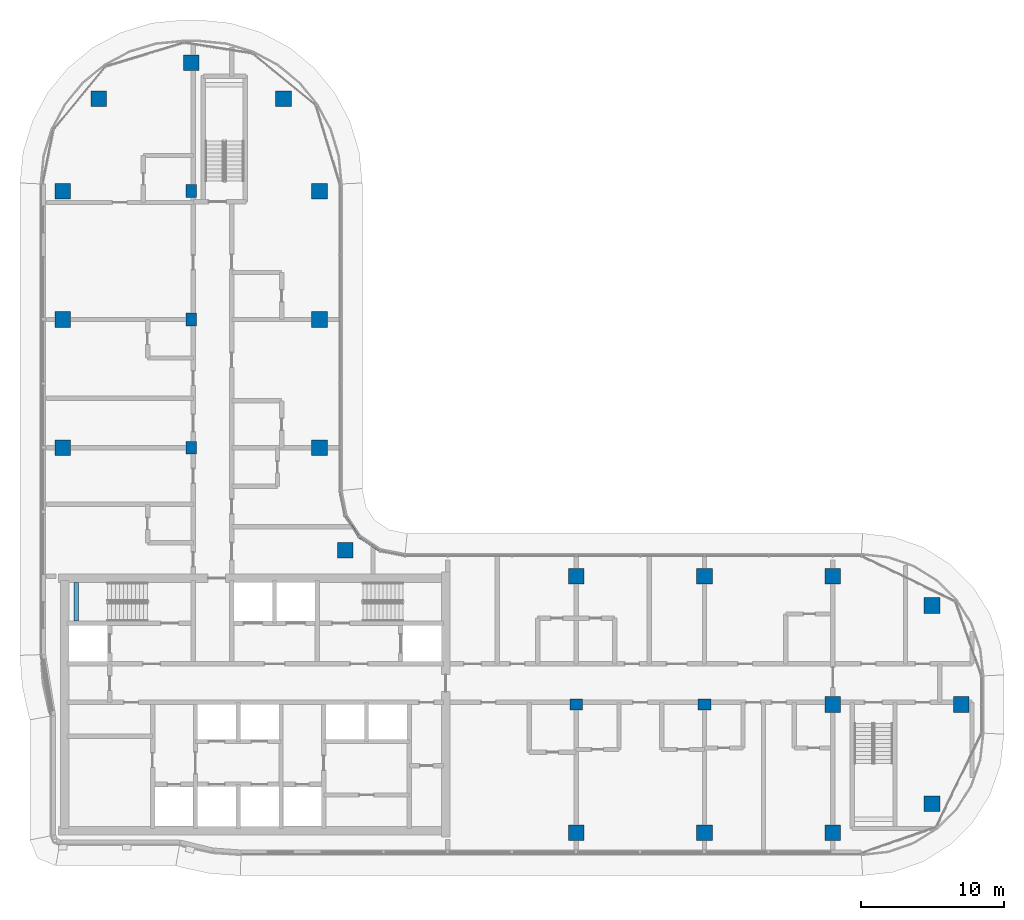
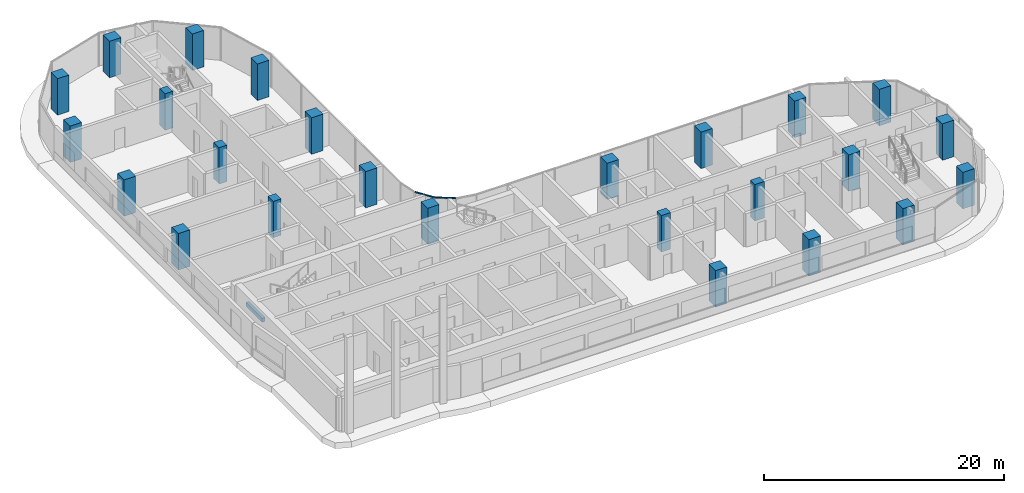
# One storey, part 1 of 24: 25 columns, 2 members, 1 beam, 1 element without a shape of its own.
"""IFC4 building model written with IfcOpenShell, lengths in metres."""

from ifc_helpers import new_model, si_unit, direction, frame, origin, origin_2d, place, context, subcontext, project, spatial, rectangle, extrude, material, material_profile, profile_set, type_object, element, aggregate, save


model = new_model("IFC4")

# Units and contexts
model_context = context("Model", 3, precision=1e-05, world=origin(), true_north=direction((0.0, 1.0)))
body_context = subcontext(model_context, "Body", "Model", "MODEL_VIEW")
ifc_project = project(units=[si_unit("LENGTHUNIT", "METRE"), si_unit("AREAUNIT", "SQUARE_METRE"), si_unit("VOLUMEUNIT", "CUBIC_METRE"), si_unit("PLANEANGLEUNIT", "RADIAN"), si_unit("MASSUNIT", "GRAM", prefix="KILO")], contexts=[model_context])

# Site, building, storey
site_placement = place(None, origin())
site = spatial("IfcSite", under=ifc_project, at=site_placement, CompositionType="ELEMENT")
building_placement = place(site_placement, origin())
building = spatial("IfcBuilding", under=site, at=building_placement, Name="Ogive Portal Towers", CompositionType="ELEMENT")
storey_placement = place(building_placement, frame((0.0, 0.0, 142.199951171875)))
storey = spatial("IfcBuildingStorey", under=building, at=storey_placement, Name="L34", CompositionType="ELEMENT", Elevation=142.199951171875)

# Columns
ifc_material_1 = material(Name="Concrete C60/75", Category="concrete")
ifc_material_profile_1 = material_profile(ifc_material_1, rectangle(XDim=1.10009765625, YDim=1.10009765625, at=origin_2d()), Name="RC 1100x1100")
ifc_profile_set_1 = profile_set([ifc_material_profile_1], Name="Concrete C60/75")
column_type_1 = type_object("IfcColumnType", Name="COLUMN RC 1100x1100", PredefinedType="COLUMN", material=ifc_profile_set_1)
for number, where, z_axis, x_axis, name in (
    (1, (67.5, 21.5, 0.0), (0.0, 0.0, 1.0), (1.0, 0.0, 0.0), "Column 5/A L34"),
    (2, (76.5, 21.5, 0.0), (0.0, 0.0, 1.0), (1.0, 0.0, 0.0), "Column 6/A L34"),
    (3, (85.5, 21.5, 0.0), (0.0, 0.0, 1.0), (1.0, 0.0, 0.0), "Column 7/A L34"),
    (4, (92.449951171875, 23.550048828125, 0.0), (0.0, 0.0, 1.0), (1.0, 0.0, 0.0), "Column L34"),
    (5, (85.5, 30.5, 0.0), (0.0, 0.0, 1.0), (1.0, 0.0, 0.0), "Column 7/B L34"),
    (6, (94.5, 30.5, 0.0), (0.0, 0.0, 1.0), (1.0, 0.0, 0.0), "Column 8/B L34"),
    (7, (92.449951171875, 37.449951171875, 0.0), (0.0, 0.0, 1.0), (1.0, 0.0, 0.0), "Column L34"),
    (8, (67.5, 39.5, 0.0), (0.0, 0.0, 1.0), (1.0, 0.0, 0.0), "Column 5/C L34"),
    (9, (76.5, 39.5, 0.0), (0.0, 0.0, 1.0), (1.0, 0.0, 0.0), "Column 6/C L34"),
    (10, (85.5, 39.5, 0.0), (0.0, 0.0, 1.0), (1.0, 0.0, 0.0), "Column 7/C L34"),
    (11, (51.31005859375, 41.31005859375, 0.0), (0.0, 0.0, 1.0), (1.0, 0.0, 0.0), "Column L34"),
    (12, (31.5, 48.5, 0.0), (0.0, 0.0, 1.0), (1.0, 0.0, 0.0), "Column 1/D L34"),
    (13, (49.5, 48.5, 0.0), (0.0, 0.0, 1.0), (1.0, 0.0, 0.0), "Column 3/D L34"),
    (14, (31.5, 57.5, 0.0), (0.0, 0.0, 1.0), (1.0, 0.0, 0.0), "Column 1/E L34"),
    (15, (49.5, 57.5, 0.0), (0.0, 0.0, 1.0), (1.0, 0.0, 0.0), "Column 3/E L34"),
    (16, (31.5, 66.5, 0.0), (0.0, 0.0, 1.0), (1.0, 0.0, 0.0), "Column 1/F L34"),
    (17, (49.5, 66.5, 0.0), (0.0, 0.0, 1.0), (1.0, 0.0, 0.0), "Column 3/F L34"),
    (18, (34.027099609375, 72.972900390625, 0.0), (0.0, 0.0, 1.0), (1.0, 0.0, 0.0), "Column L34"),
    (19, (46.972900390625, 72.972900390625, 0.0), (0.0, 0.0, 1.0), (1.0, 0.0, 0.0), "Column L34"),
    (20, (40.5, 75.5, 0.0), (0.0, 0.0, 1.0), (1.0, 0.0, 0.0), "Column 2/G L34"),
):
    element("IfcColumn", number, at=place(storey_placement, frame(where, z_axis=z_axis, x_axis=x_axis)), inside=storey, type_object=column_type_1, Name=name, PredefinedType="COLUMN", context=body_context, shape_type="SweptSolid", body=[
        extrude(rectangle(XDim=1.10009765625, YDim=1.10009765625, at=origin_2d()), origin(), (0.0, 0.0, 1.0), 3.699951171875),
    ])
ifc_material_profile_2 = material_profile(ifc_material_1, rectangle(XDim=0.89990234375, YDim=0.75, at=origin_2d()), Name="RC 900x750")
ifc_profile_set_2 = profile_set([ifc_material_profile_2], Name="Concrete C60/75")
column_type_2 = type_object("IfcColumnType", Name="COLUMN RC 900x750", PredefinedType="COLUMN", material=ifc_profile_set_2)
for number, where, z_axis, x_axis, name in (
    (21, (67.5, 30.5, 0.0), (0.0, 0.0, 1.0), (1.0, 0.0, 0.0), "Column 5/B L34"),
    (22, (76.5, 30.5, 0.0), (0.0, 0.0, 1.0), (1.0, 0.0, 0.0), "Column 6/B L34"),
    (23, (40.5, 48.5, 0.0), (0.0, 0.0, 1.0), (0.0, 1.0, 0.0), "Column 2/D L34"),
    (24, (40.5, 57.5, 0.0), (0.0, 0.0, 1.0), (0.0, 1.0, 0.0), "Column 2/E L34"),
    (25, (40.5, 66.5, 0.0), (0.0, 0.0, 1.0), (0.0, 1.0, 0.0), "Column 2/F L34"),
):
    element("IfcColumn", number, at=place(storey_placement, frame(where, z_axis=z_axis, x_axis=x_axis)), inside=storey, type_object=column_type_2, Name=name, PredefinedType="COLUMN", context=body_context, shape_type="SweptSolid", body=[
        extrude(rectangle(XDim=0.89990234375, YDim=0.75, at=origin_2d()), origin(), (0.0, 0.0, 1.0), 3.699951171875),
    ])

# Beam
ifc_material_2 = material(Name="Concrete C40/50", Category="concrete")
ifc_material_profile_3 = material_profile(ifc_material_2, rectangle(XDim=0.300048828125, YDim=0.39990234375, at=origin_2d()), Name="RC 300x400")
ifc_profile_set_3 = profile_set([ifc_material_profile_3], Name="Concrete C40/50")
beam_type = type_object("IfcBeamType", Name="BEAM RC 300x400", PredefinedType="BEAM", material=ifc_profile_set_3)
beam_placement = place(storey_placement, frame((32.449951171875, 36.35009765625, 1.449951171875), z_axis=(0.0, 1.0, 0.0), x_axis=(-1.0, 0.0, 0.0)))
element("IfcBeam", 26, at=beam_placement, inside=storey, type_object=beam_type, Name="Landing beam L34", PredefinedType="BEAM", context=body_context, shape_type="SweptSolid", body=[
    extrude(rectangle(XDim=0.300048828125, YDim=0.39990234375, at=origin_2d()), origin(), (0.0, 0.0, 1.0), 2.699951171875),
])

# Curtain wall, members
ifc_material_3 = material(Name="Glass, clear low-iron insulated glazing", Category="glass")
curtain_wall_type = type_object("IfcCurtainWallType", Name="CW FRONT RIBBON 4500", PredefinedType="NOTDEFINED", material=ifc_material_3)
curtain_wall_placement = place(storey_placement, origin())
curtain_wall = element("IfcCurtainWall", 27, at=curtain_wall_placement, inside=storey, type_object=curtain_wall_type, Name="A:L34:f13:cwa", PredefinedType="NOTDEFINED")
ifc_material_4 = material(Name="Aluminium 6063 anodised", Category="aluminium")
ifc_material_profile_4 = material_profile(ifc_material_4, rectangle(XDim=0.1201171875, YDim=0.06005859375, at=origin_2d()), Name="AL 120x60")
ifc_profile_set_4 = profile_set([ifc_material_profile_4], Name="Aluminium 6063 anodised")
member_type = type_object("IfcMemberType", Name="CW TRANSOM 60x120", PredefinedType="USERDEFINED", material=ifc_profile_set_4)
member_1_placement = place(storey_placement, frame((53.746826171875, 41.26708984375, 3.3701171875), z_axis=(-0.831503657605, 0.555519277244, 0.0), x_axis=(-0.555519277244, -0.831503657605, 0.0)))
member_1 = element("IfcMember", 28, at=member_1_placement, type_object=member_type, Name="transom", ObjectType="TRANSOM", PredefinedType="USERDEFINED", context=body_context, shape_type="SweptSolid", body=[
    extrude(rectangle(XDim=0.1201171875, YDim=0.06005859375, at=origin_2d()), origin(), (0.0, 0.0, 1.0), 1.787841796875),
])
member_2_placement = place(storey_placement, frame((52.26025390625, 42.26025390625, 3.3701171875), z_axis=(-0.555519277244, 0.831503657605, 0.0), x_axis=(-0.831503657605, -0.555519277244, 0.0)))
member_2 = element("IfcMember", 29, at=member_2_placement, type_object=member_type, Name="transom", ObjectType="TRANSOM", PredefinedType="USERDEFINED", context=body_context, shape_type="SweptSolid", body=[
    extrude(rectangle(XDim=0.1201171875, YDim=0.06005859375, at=origin_2d()), origin(), (0.0, 0.0, 1.0), 1.787841796875),
])
aggregate(curtain_wall, [member_1, member_2])

save(model, "model.ifc")
